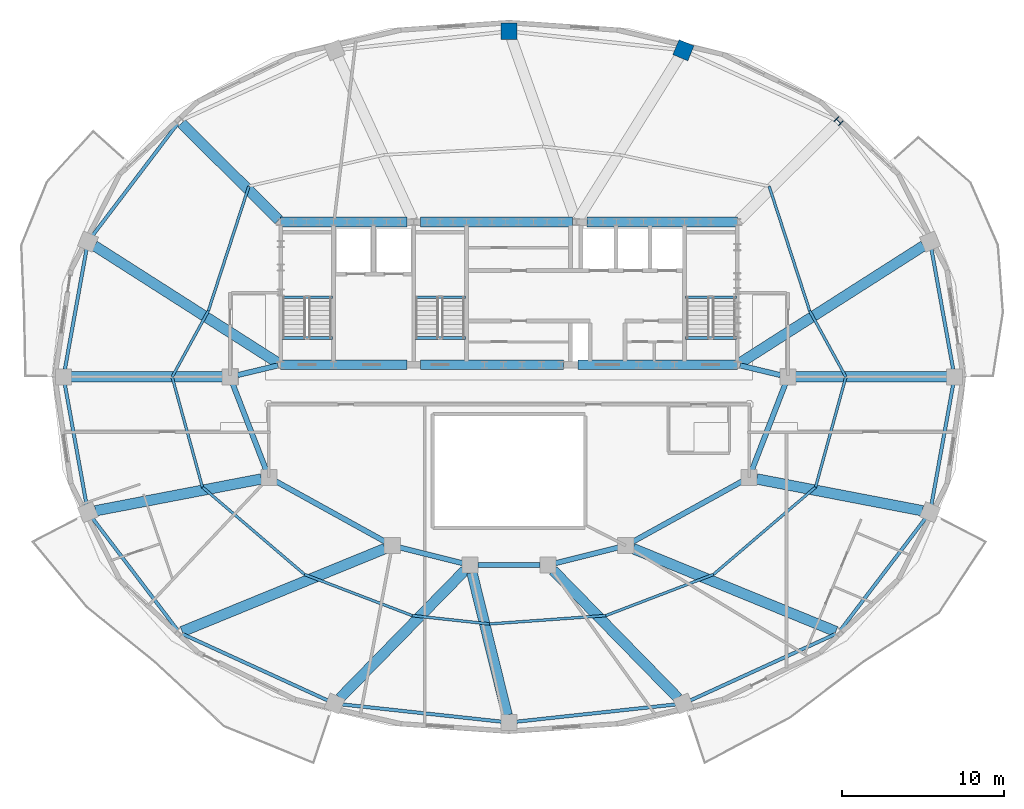
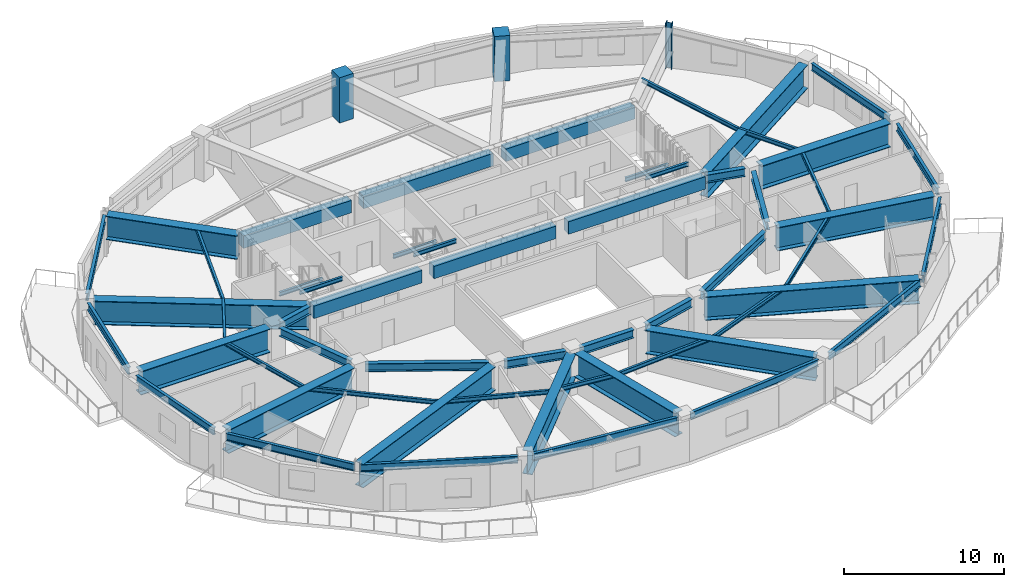
# One storey, part 2 of 12: 56 beams, 3 columns.
"""IFC4 building model written with IfcOpenShell, lengths in metres."""

from ifc_helpers import new_model, si_unit, direction, frame, origin, origin_2d, place, context, subcontext, project, spatial, rectangle, i_section, extrude, material, material_profile, profile_set, type_object, element, save


model = new_model("IFC4")

# Units and contexts
model_context = context("Model", 3, precision=1e-05, world=origin(), true_north=direction((0.0, 1.0)))
body_context = subcontext(model_context, "Body", "Model", "MODEL_VIEW")
ifc_project = project(units=[si_unit("LENGTHUNIT", "METRE"), si_unit("AREAUNIT", "SQUARE_METRE"), si_unit("VOLUMEUNIT", "CUBIC_METRE"), si_unit("PLANEANGLEUNIT", "RADIAN"), si_unit("MASSUNIT", "GRAM", prefix="KILO")], contexts=[model_context])

# Site, building, storey
site_placement = place(None, origin())
site = spatial("IfcSite", under=ifc_project, at=site_placement, CompositionType="ELEMENT")
building_placement = place(site_placement, origin())
building = spatial("IfcBuilding", under=site, at=building_placement, Name="Haldorwick Loom Tower", CompositionType="ELEMENT")
storey_placement = place(building_placement, frame((0.0, 0.0, 237.449951171875)))
storey = spatial("IfcBuildingStorey", under=building, at=storey_placement, Name="L64", CompositionType="ELEMENT", Elevation=237.449951171875)

# Columns
ifc_material_1 = material(Name="Concrete C60 (60 MPa)", Category="concrete")
ifc_material_profile_1 = material_profile(ifc_material_1, rectangle(XDim=1.0, YDim=1.0, at=origin_2d()), Name="RC1000X1000", Category="concrete")
ifc_profile_set_1 = profile_set([ifc_material_profile_1], Name="Concrete C60 (60 MPa)")
column_type_1 = type_object("IfcColumnType", Name="STR-COL-RC1000", PredefinedType="COLUMN", material=ifc_profile_set_1)
for number, where, z_axis, x_axis, name in (
    (1, (46.75341796875, 46.140625, 0.0), (0.0, 0.0, 1.0), (0.382683432365, 0.923879532511, 0.0), "L64 Perimeter Pier Column P04"),
    (2, (36.0, 47.304931640625, 0.0), (0.0, 0.0, 1.0), (0.0, 1.0, 0.0), "L64 Perimeter Pier Column P05"),
):
    element("IfcColumn", number, at=place(storey_placement, frame(where, z_axis=z_axis, x_axis=x_axis)), inside=storey, type_object=column_type_1, Name=name, PredefinedType="COLUMN", context=body_context, shape_type="SweptSolid", body=[
        extrude(rectangle(XDim=1.0, YDim=1.0, at=origin_2d()), origin(), (0.0, 0.0, 1.0), 3.449951171875),
    ])
ifc_material_2 = material(Name="Steel CSA G40.21 350W", Category="steel")
ifc_material_profile_2 = material_profile(ifc_material_2, i_section(OverallWidth=0.406005859375, OverallDepth=0.416015625, WebThickness=0.024169921875, FlangeThickness=0.03857421875, at=origin_2d()), Name="W360X382", Category="steel")
ifc_profile_set_2 = profile_set([ifc_material_profile_2], Name="Steel CSA G40.21 350W")
column_type_2 = type_object("IfcColumnType", Name="STR-COL-W360X382", PredefinedType="COLUMN", material=ifc_profile_set_2)
column_placement = place(storey_placement, frame((56.317626953125, 41.764892578125, 0.0), z_axis=(0.0, 0.0, 1.0), x_axis=(0.707106781187, 0.707106781187, 0.0)))
element("IfcColumn", 3, at=column_placement, inside=storey, type_object=column_type_2, Name="L64 Perimeter Pier Column P03", PredefinedType="COLUMN", context=body_context, shape_type="SweptSolid", body=[
    extrude(i_section(OverallWidth=0.406005859375, OverallDepth=0.416015625, WebThickness=0.024169921875, FlangeThickness=0.03857421875, at=origin_2d()), origin(), (0.0, 0.0, 1.0), 3.449951171875),
])

# Beams
ifc_material_3 = material(Name="Concrete C50 (50 MPa)", Category="concrete")
ifc_material_profile_3 = material_profile(ifc_material_3, rectangle(XDim=0.60009765625, YDim=0.949951171875, at=origin_2d()), Name="RC600X950", Category="concrete")
ifc_profile_set_3 = profile_set([ifc_material_profile_3], Name="Concrete C50 (50 MPa)")
beam_type_1 = type_object("IfcBeamType", Name="STR-BM-CB950", PredefinedType="LINTEL", material=ifc_profile_set_3)
beam_1_placement = place(storey_placement, frame((21.89990234375, 35.550048828125, 2.695068359375), z_axis=(1.0, 0.0, 0.0), x_axis=(0.0, 1.0, 0.0)))
element("IfcBeam", 4, at=beam_1_placement, inside=storey, type_object=beam_type_1, Name="L64 Core Coupling Beam CB-N1", PredefinedType="LINTEL", context=body_context, shape_type="SweptSolid", body=[
    extrude(rectangle(XDim=0.60009765625, YDim=0.949951171875, at=origin_2d()), origin(), (0.0, 0.0, 1.0), 7.800048828125),
])
beam_2_placement = place(storey_placement, frame((30.550048828125, 35.550048828125, 2.695068359375), z_axis=(1.0, 0.0, 0.0), x_axis=(0.0, 1.0, 0.0)))
element("IfcBeam", 5, at=beam_2_placement, inside=storey, type_object=beam_type_1, Name="L64 Core Coupling Beam CB-N2", PredefinedType="LINTEL", context=body_context, shape_type="SweptSolid", body=[
    extrude(rectangle(XDim=0.60009765625, YDim=0.949951171875, at=origin_2d()), origin(), (0.0, 0.0, 1.0), 9.349853515625),
])
beam_3_placement = place(storey_placement, frame((40.800048828125, 35.550048828125, 2.695068359375), z_axis=(1.0, 0.0, 0.0), x_axis=(0.0, 1.0, 0.0)))
element("IfcBeam", 6, at=beam_3_placement, inside=storey, type_object=beam_type_1, Name="L64 Core Coupling Beam CB-N3", PredefinedType="LINTEL", context=body_context, shape_type="SweptSolid", body=[
    extrude(rectangle(XDim=0.60009765625, YDim=0.949951171875, at=origin_2d()), origin(), (0.0, 0.0, 1.0), 9.300048828125),
])
beam_4_placement = place(storey_placement, frame((21.89990234375, 26.75, 2.695068359375), z_axis=(1.0, 0.0, 0.0), x_axis=(0.0, 1.0, 0.0)))
element("IfcBeam", 7, at=beam_4_placement, inside=storey, type_object=beam_type_1, Name="L64 Core Coupling Beam CB-S1", PredefinedType="LINTEL", context=body_context, shape_type="SweptSolid", body=[
    extrude(rectangle(XDim=0.60009765625, YDim=0.949951171875, at=origin_2d()), origin(), (0.0, 0.0, 1.0), 7.800048828125),
])
beam_5_placement = place(storey_placement, frame((30.550048828125, 26.75, 2.695068359375), z_axis=(1.0, 0.0, 0.0), x_axis=(0.0, 1.0, 0.0)))
element("IfcBeam", 8, at=beam_5_placement, inside=storey, type_object=beam_type_1, Name="L64 Core Coupling Beam CB-S2", PredefinedType="LINTEL", context=body_context, shape_type="SweptSolid", body=[
    extrude(rectangle(XDim=0.60009765625, YDim=0.949951171875, at=origin_2d()), origin(), (0.0, 0.0, 1.0), 8.800048828125),
])
beam_6_placement = place(storey_placement, frame((40.25, 26.75, 2.695068359375), z_axis=(1.0, 0.0, 0.0), x_axis=(0.0, 1.0, 0.0)))
element("IfcBeam", 9, at=beam_6_placement, inside=storey, type_object=beam_type_1, Name="L64 Core Coupling Beam CB-S3", PredefinedType="LINTEL", context=body_context, shape_type="SweptSolid", body=[
    extrude(rectangle(XDim=0.60009765625, YDim=0.949951171875, at=origin_2d()), origin(), (0.0, 0.0, 1.0), 9.85009765625),
])
ifc_material_profile_4 = material_profile(ifc_material_2, i_section(OverallWidth=0.166015625, OverallDepth=0.31298828125, WebThickness=0.006591796875, FlangeThickness=0.01123046875, at=origin_2d()), Name="W310X45", Category="steel")
ifc_profile_set_4 = profile_set([ifc_material_profile_4], Name="Steel CSA G40.21 350W")
beam_type_2 = type_object("IfcBeamType", Name="STR-BM-J310", PredefinedType="JOIST", material=ifc_profile_set_4)
beam_7_placement = place(storey_placement, frame((56.768310546875, 26.0, 3.013427734375), z_axis=(-0.480863931781, 0.876795232145, 0.0), x_axis=(-0.876795232145, -0.480863931781, 0.0)))
element("IfcBeam", 10, at=beam_7_placement, inside=storey, type_object=beam_type_2, Name="L64 Mid-Bay Secondary Joist 1", PredefinedType="JOIST", context=body_context, shape_type="SweptSolid", body=[
    extrude(i_section(OverallWidth=0.166015625, OverallDepth=0.31298828125, WebThickness=0.006591796875, FlangeThickness=0.01123046875, at=origin_2d()), origin(), (0.0, 0.0, 1.0), 4.639404296875),
])
for number, where, z_axis, x_axis, name in (
    (11, (54.537353515625, 30.06787109375, 3.013427734375), (-0.309277990337, 0.95097167397, 0.0), (-0.95097167397, -0.309277990337, 0.0), "L64 Mid-Bay Secondary Joist 2"),
    (12, (19.96240234375, 37.754150390625, 3.013427734375), (-0.309277990337, -0.95097167397, 0.0), (0.95097167397, -0.309277990337, 0.0), "L64 Mid-Bay Secondary Joist 7"),
):
    element("IfcBeam", number, at=place(storey_placement, frame(where, z_axis=z_axis, x_axis=x_axis)), inside=storey, type_object=beam_type_2, Name=name, PredefinedType="JOIST", context=body_context, shape_type="SweptSolid", body=[
        extrude(i_section(OverallWidth=0.166015625, OverallDepth=0.31298828125, WebThickness=0.006591796875, FlangeThickness=0.01123046875, at=origin_2d()), origin(), (0.0, 0.0, 1.0), 8.08251953125),
    ])
beam_8_placement = place(storey_placement, frame((17.462646484375, 30.06787109375, 3.013427734375), z_axis=(-0.480863931781, -0.876795232145, 0.0), x_axis=(0.876795232145, -0.480863931781, 0.0)))
element("IfcBeam", 13, at=beam_8_placement, inside=storey, type_object=beam_type_2, Name="L64 Mid-Bay Secondary Joist 8", PredefinedType="JOIST", context=body_context, shape_type="SweptSolid", body=[
    extrude(i_section(OverallWidth=0.166015625, OverallDepth=0.31298828125, WebThickness=0.006591796875, FlangeThickness=0.01123046875, at=origin_2d()), origin(), (0.0, 0.0, 1.0), 4.639404296875),
])
beam_9_placement = place(storey_placement, frame((15.231689453125, 26.0, 3.013427734375), z_axis=(0.264879381431, -0.964281552915, 0.0), x_axis=(0.964281552915, 0.264879381431, 0.0)))
element("IfcBeam", 14, at=beam_9_placement, inside=storey, type_object=beam_type_2, Name="L64 Mid-Bay Secondary Joist 9", PredefinedType="JOIST", context=body_context, shape_type="SweptSolid", body=[
    extrude(i_section(OverallWidth=0.166015625, OverallDepth=0.31298828125, WebThickness=0.006591796875, FlangeThickness=0.01123046875, at=origin_2d()), origin(), (0.0, 0.0, 1.0), 7.044677734375),
])
beam_10_placement = place(storey_placement, frame((17.09765625, 19.20703125, 3.013427734375), z_axis=(0.760066902561, -0.649844830426, 0.0), x_axis=(0.649844830426, 0.760066902561, 0.0)))
element("IfcBeam", 15, at=beam_10_placement, inside=storey, type_object=beam_type_2, Name="L64 Mid-Bay Secondary Joist 10", PredefinedType="JOIST", context=body_context, shape_type="SweptSolid", body=[
    extrude(i_section(OverallWidth=0.166015625, OverallDepth=0.31298828125, WebThickness=0.006591796875, FlangeThickness=0.01123046875, at=origin_2d()), origin(), (0.0, 0.0, 1.0), 8.28857421875),
])
beam_11_placement = place(storey_placement, frame((23.3974609375, 13.82080078125, 3.013427734375), z_axis=(0.934134056558, -0.356922350628, 0.0), x_axis=(0.356922350628, 0.934134056558, 0.0)))
element("IfcBeam", 16, at=beam_11_placement, inside=storey, type_object=beam_type_2, Name="L64 Mid-Bay Secondary Joist 11", PredefinedType="JOIST", context=body_context, shape_type="SweptSolid", body=[
    extrude(i_section(OverallWidth=0.166015625, OverallDepth=0.31298828125, WebThickness=0.006591796875, FlangeThickness=0.01123046875, at=origin_2d()), origin(), (0.0, 0.0, 1.0), 7.106201171875),
])
beam_12_placement = place(storey_placement, frame((30.03564453125, 11.284423828125, 3.013427734375), z_axis=(0.994221899005, -0.107344378232, 0.0), x_axis=(0.107344378232, 0.994221899005, 0.0)))
element("IfcBeam", 17, at=beam_12_placement, inside=storey, type_object=beam_type_2, Name="L64 Mid-Bay Secondary Joist 12", PredefinedType="JOIST", context=body_context, shape_type="SweptSolid", body=[
    extrude(i_section(OverallWidth=0.166015625, OverallDepth=0.31298828125, WebThickness=0.006591796875, FlangeThickness=0.01123046875, at=origin_2d()), origin(), (0.0, 0.0, 1.0), 4.7919921875),
])
beam_13_placement = place(storey_placement, frame((34.800048828125, 10.77001953125, 3.013427734375), z_axis=(0.997432233153, 0.071616620046, 0.0), x_axis=(-0.071616620046, 0.997432233153, 0.0)))
element("IfcBeam", 18, at=beam_13_placement, inside=storey, type_object=beam_type_2, Name="L64 Mid-Bay Secondary Joist 13", PredefinedType="JOIST", context=body_context, shape_type="SweptSolid", body=[
    extrude(i_section(OverallWidth=0.166015625, OverallDepth=0.31298828125, WebThickness=0.006591796875, FlangeThickness=0.01123046875, at=origin_2d()), origin(), (0.0, 0.0, 1.0), 7.182861328125),
])
beam_14_placement = place(storey_placement, frame((41.96435546875, 11.284423828125, 3.013427734375), z_axis=(0.934134056558, 0.356922350628, 0.0), x_axis=(-0.356922350628, 0.934134056558, 0.0)))
element("IfcBeam", 19, at=beam_14_placement, inside=storey, type_object=beam_type_2, Name="L64 Mid-Bay Secondary Joist 14", PredefinedType="JOIST", context=body_context, shape_type="SweptSolid", body=[
    extrude(i_section(OverallWidth=0.166015625, OverallDepth=0.31298828125, WebThickness=0.006591796875, FlangeThickness=0.01123046875, at=origin_2d()), origin(), (0.0, 0.0, 1.0), 7.106201171875),
])
beam_15_placement = place(storey_placement, frame((48.6025390625, 13.82080078125, 3.013427734375), z_axis=(0.760066902561, 0.649844830426, 0.0), x_axis=(-0.649844830426, 0.760066902561, 0.0)))
element("IfcBeam", 20, at=beam_15_placement, inside=storey, type_object=beam_type_2, Name="L64 Mid-Bay Secondary Joist 15", PredefinedType="JOIST", context=body_context, shape_type="SweptSolid", body=[
    extrude(i_section(OverallWidth=0.166015625, OverallDepth=0.31298828125, WebThickness=0.006591796875, FlangeThickness=0.01123046875, at=origin_2d()), origin(), (0.0, 0.0, 1.0), 8.28857421875),
])
beam_16_placement = place(storey_placement, frame((54.90234375, 19.20703125, 3.013427734375), z_axis=(0.264879381431, 0.964281552915, 0.0), x_axis=(-0.964281552915, 0.264879381431, 0.0)))
element("IfcBeam", 21, at=beam_16_placement, inside=storey, type_object=beam_type_2, Name="L64 Mid-Bay Secondary Joist 16", PredefinedType="JOIST", context=body_context, shape_type="SweptSolid", body=[
    extrude(i_section(OverallWidth=0.166015625, OverallDepth=0.31298828125, WebThickness=0.006591796875, FlangeThickness=0.01123046875, at=origin_2d()), origin(), (0.0, 0.0, 1.0), 7.044677734375),
])
ifc_material_profile_5 = material_profile(ifc_material_2, i_section(OverallWidth=0.2119140625, OverallDepth=0.5439453125, WebThickness=0.01318359375, FlangeThickness=0.021240234375, at=origin_2d()), Name="W530X123", Category="steel")
ifc_profile_set_5 = profile_set([ifc_material_profile_5], Name="Steel CSA G40.21 350W")
beam_type_3 = type_object("IfcBeamType", Name="STR-BM-SP530", PredefinedType="SPANDREL", material=ifc_profile_set_5)
beam_17_placement = place(storey_placement, frame((63.382080078125, 26.467529296875, 2.89794921875), z_axis=(-0.177580880494, 0.984106209148, 0.0), x_axis=(-0.984106209148, -0.177580880494, 0.0)))
element("IfcBeam", 22, at=beam_17_placement, inside=storey, type_object=beam_type_3, Name="L64 Perimeter Spandrel 1", PredefinedType="SPANDREL", context=body_context, shape_type="SweptSolid", body=[
    extrude(i_section(OverallWidth=0.2119140625, OverallDepth=0.5439453125, WebThickness=0.01318359375, FlangeThickness=0.021240234375, at=origin_2d()), origin(), (0.0, 0.0, 1.0), 7.527099609375),
])
beam_18_placement = place(storey_placement, frame((15.57470703125, 41.623291015625, 2.89794921875), z_axis=(-0.605253156055, -0.796033050247, 0.0), x_axis=(0.796033050247, -0.605253156055, 0.0)))
element("IfcBeam", 23, at=beam_18_placement, inside=storey, type_object=beam_type_3, Name="L64 Perimeter Spandrel 7", PredefinedType="SPANDREL", context=body_context, shape_type="SweptSolid", body=[
    extrude(i_section(OverallWidth=0.2119140625, OverallDepth=0.5439453125, WebThickness=0.01318359375, FlangeThickness=0.021240234375, at=origin_2d()), origin(), (0.0, 0.0, 1.0), 8.671142578125),
])
for number, where, z_axis, x_axis, name in (
    (24, (9.95458984375, 33.875, 2.89794921875), (-0.177580880494, -0.984106209148, 0.0), (0.984106209148, -0.177580880494, 0.0), "L64 Perimeter Spandrel 8"),
    (25, (8.617919921875, 25.532470703125, 2.89794921875), (0.177580880494, -0.984106209148, 0.0), (0.984106209148, 0.177580880494, 0.0), "L64 Perimeter Spandrel 9"),
):
    element("IfcBeam", number, at=place(storey_placement, frame(where, z_axis=z_axis, x_axis=x_axis)), inside=storey, type_object=beam_type_3, Name=name, PredefinedType="SPANDREL", context=body_context, shape_type="SweptSolid", body=[
        extrude(i_section(OverallWidth=0.2119140625, OverallDepth=0.5439453125, WebThickness=0.01318359375, FlangeThickness=0.021240234375, at=origin_2d()), origin(), (0.0, 0.0, 1.0), 7.527099609375),
    ])
beam_19_placement = place(storey_placement, frame((10.326416015625, 17.279296875, 2.89794921875), z_axis=(0.605253156055, -0.796033050247, 0.0), x_axis=(0.796033050247, 0.605253156055, 0.0)))
element("IfcBeam", 26, at=beam_19_placement, inside=storey, type_object=beam_type_3, Name="L64 Perimeter Spandrel 10", PredefinedType="SPANDREL", context=body_context, shape_type="SweptSolid", body=[
    extrude(i_section(OverallWidth=0.2119140625, OverallDepth=0.5439453125, WebThickness=0.01318359375, FlangeThickness=0.021240234375, at=origin_2d()), origin(), (0.0, 0.0, 1.0), 8.671142578125),
])
beam_20_placement = place(storey_placement, frame((15.84423828125, 10.160888671875, 2.89794921875), z_axis=(0.909350907904, -0.41602995841, 0.0), x_axis=(0.41602995841, 0.909350907904, 0.0)))
element("IfcBeam", 27, at=beam_20_placement, inside=storey, type_object=beam_type_3, Name="L64 Perimeter Spandrel 11", PredefinedType="SPANDREL", context=body_context, shape_type="SweptSolid", body=[
    extrude(i_section(OverallWidth=0.2119140625, OverallDepth=0.5439453125, WebThickness=0.01318359375, FlangeThickness=0.021240234375, at=origin_2d()), origin(), (0.0, 0.0, 1.0), 9.86474609375),
])
for number, where, z_axis, x_axis, name in (
    (28, (25.71875, 5.808349609375, 2.89794921875), (0.994187378218, -0.107663628917, 0.0), (0.107663628917, 0.994187378218, 0.0), "L64 Perimeter Spandrel 12"),
    (29, (36.47216796875, 4.74609375, 2.89794921875), (0.994187378218, 0.107663628917, 0.0), (-0.107663628917, 0.994187378218, 0.0), "L64 Perimeter Spandrel 13"),
):
    element("IfcBeam", number, at=place(storey_placement, frame(where, z_axis=z_axis, x_axis=x_axis)), inside=storey, type_object=beam_type_3, Name=name, PredefinedType="SPANDREL", context=body_context, shape_type="SweptSolid", body=[
        extrude(i_section(OverallWidth=0.2119140625, OverallDepth=0.5439453125, WebThickness=0.01318359375, FlangeThickness=0.021240234375, at=origin_2d()), origin(), (0.0, 0.0, 1.0), 9.866455078125),
    ])
beam_21_placement = place(storey_placement, frame((47.185302734375, 6.056884765625, 2.89794921875), z_axis=(0.909350907904, 0.41602995841, 0.0), x_axis=(-0.41602995841, 0.909350907904, 0.0)))
element("IfcBeam", 30, at=beam_21_placement, inside=storey, type_object=beam_type_3, Name="L64 Perimeter Spandrel 14", PredefinedType="SPANDREL", context=body_context, shape_type="SweptSolid", body=[
    extrude(i_section(OverallWidth=0.2119140625, OverallDepth=0.5439453125, WebThickness=0.01318359375, FlangeThickness=0.021240234375, at=origin_2d()), origin(), (0.0, 0.0, 1.0), 9.86474609375),
])
beam_22_placement = place(storey_placement, frame((56.42529296875, 10.376708984375, 2.89794921875), z_axis=(0.605253156055, 0.796033050247, 0.0), x_axis=(-0.796033050247, 0.605253156055, 0.0)))
element("IfcBeam", 31, at=beam_22_placement, inside=storey, type_object=beam_type_3, Name="L64 Perimeter Spandrel 15", PredefinedType="SPANDREL", context=body_context, shape_type="SweptSolid", body=[
    extrude(i_section(OverallWidth=0.2119140625, OverallDepth=0.5439453125, WebThickness=0.01318359375, FlangeThickness=0.021240234375, at=origin_2d()), origin(), (0.0, 0.0, 1.0), 8.671142578125),
])
beam_23_placement = place(storey_placement, frame((62.04541015625, 18.125, 2.89794921875), z_axis=(0.177580880494, 0.984106209148, 0.0), x_axis=(-0.984106209148, 0.177580880494, 0.0)))
element("IfcBeam", 32, at=beam_23_placement, inside=storey, type_object=beam_type_3, Name="L64 Perimeter Spandrel 16", PredefinedType="SPANDREL", context=body_context, shape_type="SweptSolid", body=[
    extrude(i_section(OverallWidth=0.2119140625, OverallDepth=0.5439453125, WebThickness=0.01318359375, FlangeThickness=0.021240234375, at=origin_2d()), origin(), (0.0, 0.0, 1.0), 7.527099609375),
])
ifc_material_profile_6 = material_profile(ifc_material_2, i_section(OverallWidth=0.166015625, OverallDepth=0.31298828125, WebThickness=0.006591796875, FlangeThickness=0.01123046875, at=origin_2d()), Name="W310X45", Category="steel")
ifc_profile_set_6 = profile_set([ifc_material_profile_6], Name="Steel CSA G40.21 350W")
beam_type_4 = type_object("IfcBeamType", Name="STR-BM-STRM", PredefinedType="BEAM", material=ifc_profile_set_6)
for number, where, z_axis, x_axis, name in (
    (33, (21.989990234375, 28.39990234375, 3.013427734375), (1.0, 0.0, 0.0), (0.0, 1.0, 0.0), "L64 Stair ST-01 Landing Edge Trimmer"),
    (34, (21.989990234375, 30.919921875, 1.36865234375), (1.0, 0.0, 0.0), (0.0, 1.0, 0.0), "L64 Stair ST-01 Half-Landing Trimmer 1"),
    (35, (46.889892578125, 28.39990234375, 3.013427734375), (1.0, 0.0, 0.0), (0.0, 1.0, 0.0), "L64 Stair ST-02 Landing Edge Trimmer"),
    (36, (46.889892578125, 30.919921875, 1.36865234375), (1.0, 0.0, 0.0), (0.0, 1.0, 0.0), "L64 Stair ST-02 Half-Landing Trimmer 1"),
    (37, (30.18994140625, 28.39990234375, 3.013427734375), (1.0, 0.0, 0.0), (0.0, 1.0, 0.0), "L64 Stair ST-03 Landing Edge Trimmer"),
    (38, (30.18994140625, 30.919921875, 1.36865234375), (1.0, 0.0, 0.0), (0.0, 1.0, 0.0), "L64 Stair ST-03 Half-Landing Trimmer 1"),
):
    element("IfcBeam", number, at=place(storey_placement, frame(where, z_axis=z_axis, x_axis=x_axis)), inside=storey, type_object=beam_type_4, Name=name, PredefinedType="BEAM", context=body_context, shape_type="SweptSolid", body=[
        extrude(i_section(OverallWidth=0.166015625, OverallDepth=0.31298828125, WebThickness=0.006591796875, FlangeThickness=0.01123046875, at=origin_2d()), origin(), (0.0, 0.0, 1.0), 3.1201171875),
    ])
ifc_material_4 = material(Name="Steel CSA G40.21 350WT", Category="steel")
ifc_material_profile_7 = material_profile(ifc_material_4, i_section(OverallWidth=0.64990234375, OverallDepth=1.800048828125, WebThickness=0.02587890625, FlangeThickness=0.048095703125, at=origin_2d()), Name="WWF1800X650", Category="steel")
ifc_profile_set_7 = profile_set([ifc_material_profile_7], Name="Steel CSA G40.21 350WT")
beam_type_5 = type_object("IfcBeamType", Name="STR-BM-TG1800", PredefinedType="BEAM", material=ifc_profile_set_7)
beam_24_placement = place(storey_placement, frame((53.675048828125, 26.0, 2.27001953125), z_axis=(1.0, 0.0, 0.0), x_axis=(0.0, 1.0, 0.0)))
element("IfcBeam", 39, at=beam_24_placement, inside=storey, type_object=beam_type_5, Name="L64 Setback Inner Transfer Girder 1", PredefinedType="BEAM", context=body_context, shape_type="SweptSolid", body=[
    extrude(i_section(OverallWidth=0.64990234375, OverallDepth=1.800048828125, WebThickness=0.02587890625, FlangeThickness=0.048095703125, at=origin_2d()), origin(), (0.0, 0.0, 1.0), 9.31640625),
])
beam_25_placement = place(storey_placement, frame((50.219970703125, 26.845703125, 2.27001953125), z_axis=(0.842841662301, 0.538161622833, 0.0), x_axis=(-0.538161622833, 0.842841662301, 0.0)))
element("IfcBeam", 40, at=beam_25_placement, inside=storey, type_object=beam_type_5, Name="L64 Setback Inner Transfer Girder 2", PredefinedType="BEAM", context=body_context, shape_type="SweptSolid", body=[
    extrude(i_section(OverallWidth=0.64990234375, OverallDepth=1.800048828125, WebThickness=0.02587890625, FlangeThickness=0.048095703125, at=origin_2d()), origin(), (0.0, 0.0, 1.0), 13.45556640625),
])
beam_26_placement = place(storey_placement, frame((21.8037109375, 35.675537109375, 2.27001953125), z_axis=(-0.708952100153, 0.70525663392, 0.0), x_axis=(-0.70525663392, -0.708952100153, 0.0)))
element("IfcBeam", 41, at=beam_26_placement, inside=storey, type_object=beam_type_5, Name="L64 Setback Inner Transfer Girder 7", PredefinedType="BEAM", context=body_context, shape_type="SweptSolid", body=[
    extrude(i_section(OverallWidth=0.64990234375, OverallDepth=1.800048828125, WebThickness=0.02587890625, FlangeThickness=0.048095703125, at=origin_2d()), origin(), (0.0, 0.0, 1.0), 8.456298828125),
])
beam_27_placement = place(storey_placement, frame((21.780029296875, 26.845703125, 2.27001953125), z_axis=(-0.842841662301, 0.538161622833, 0.0), x_axis=(-0.538161622833, -0.842841662301, 0.0)))
element("IfcBeam", 42, at=beam_27_placement, inside=storey, type_object=beam_type_5, Name="L64 Setback Inner Transfer Girder 8", PredefinedType="BEAM", context=body_context, shape_type="SweptSolid", body=[
    extrude(i_section(OverallWidth=0.64990234375, OverallDepth=1.800048828125, WebThickness=0.02587890625, FlangeThickness=0.048095703125, at=origin_2d()), origin(), (0.0, 0.0, 1.0), 13.45556640625),
])
beam_28_placement = place(storey_placement, frame((18.324951171875, 26.0, 2.27001953125), z_axis=(-1.0, 0.0, 0.0), x_axis=(0.0, -1.0, 0.0)))
element("IfcBeam", 43, at=beam_28_placement, inside=storey, type_object=beam_type_5, Name="L64 Setback Inner Transfer Girder 9", PredefinedType="BEAM", context=body_context, shape_type="SweptSolid", body=[
    extrude(i_section(OverallWidth=0.64990234375, OverallDepth=1.800048828125, WebThickness=0.02587890625, FlangeThickness=0.048095703125, at=origin_2d()), origin(), (0.0, 0.0, 1.0), 9.31640625),
])
beam_29_placement = place(storey_placement, frame((20.7333984375, 19.71044921875, 2.27001953125), z_axis=(-0.982068761346, -0.188523070173, 0.0), x_axis=(0.188523070173, -0.982068761346, 0.0)))
element("IfcBeam", 44, at=beam_29_placement, inside=storey, type_object=beam_type_5, Name="L64 Setback Inner Transfer Girder 10", PredefinedType="BEAM", context=body_context, shape_type="SweptSolid", body=[
    extrude(i_section(OverallWidth=0.64990234375, OverallDepth=1.800048828125, WebThickness=0.02587890625, FlangeThickness=0.048095703125, at=origin_2d()), origin(), (0.0, 0.0, 1.0), 10.41455078125),
])
beam_30_placement = place(storey_placement, frame((28.3603515625, 15.420166015625, 2.27001953125), z_axis=(-0.925582046891, -0.378547057145, 0.0), x_axis=(0.378547057145, -0.925582046891, 0.0)))
element("IfcBeam", 45, at=beam_30_placement, inside=storey, type_object=beam_type_5, Name="L64 Setback Inner Transfer Girder 11", PredefinedType="BEAM", context=body_context, shape_type="SweptSolid", body=[
    extrude(i_section(OverallWidth=0.64990234375, OverallDepth=1.800048828125, WebThickness=0.02587890625, FlangeThickness=0.048095703125, at=origin_2d()), origin(), (0.0, 0.0, 1.0), 13.519287109375),
])
beam_31_placement = place(storey_placement, frame((33.267822265625, 14.060302734375, 2.27001953125), z_axis=(-0.6992374297, -0.714889513775, 0.0), x_axis=(0.714889513775, -0.6992374297, 0.0)))
element("IfcBeam", 46, at=beam_31_placement, inside=storey, type_object=beam_type_5, Name="L64 Setback Inner Transfer Girder 12", PredefinedType="BEAM", context=body_context, shape_type="SweptSolid", body=[
    extrude(i_section(OverallWidth=0.64990234375, OverallDepth=1.800048828125, WebThickness=0.02587890625, FlangeThickness=0.048095703125, at=origin_2d()), origin(), (0.0, 0.0, 1.0), 10.99658203125),
])
beam_32_placement = place(storey_placement, frame((33.714111328125, 13.93896484375, 2.27001953125), z_axis=(0.240052275929, -0.970759962515, 0.0), x_axis=(0.970759962515, 0.240052275929, 0.0)))
element("IfcBeam", 47, at=beam_32_placement, inside=storey, type_object=beam_type_5, Name="L64 Setback Inner Transfer Girder 13", PredefinedType="BEAM", context=body_context, shape_type="SweptSolid", body=[
    extrude(i_section(OverallWidth=0.64990234375, OverallDepth=1.800048828125, WebThickness=0.02587890625, FlangeThickness=0.048095703125, at=origin_2d()), origin(), (0.0, 0.0, 1.0), 9.047607421875),
])
beam_33_placement = place(storey_placement, frame((38.732177734375, 14.060302734375, 2.27001953125), z_axis=(0.6992374297, -0.714889513775, 0.0), x_axis=(0.714889513775, 0.6992374297, 0.0)))
element("IfcBeam", 48, at=beam_33_placement, inside=storey, type_object=beam_type_5, Name="L64 Setback Inner Transfer Girder 14", PredefinedType="BEAM", context=body_context, shape_type="SweptSolid", body=[
    extrude(i_section(OverallWidth=0.64990234375, OverallDepth=1.800048828125, WebThickness=0.02587890625, FlangeThickness=0.048095703125, at=origin_2d()), origin(), (0.0, 0.0, 1.0), 10.99658203125),
])
beam_34_placement = place(storey_placement, frame((43.6396484375, 15.420166015625, 2.27001953125), z_axis=(0.925582046891, -0.378547057145, 0.0), x_axis=(0.378547057145, 0.925582046891, 0.0)))
element("IfcBeam", 49, at=beam_34_placement, inside=storey, type_object=beam_type_5, Name="L64 Setback Inner Transfer Girder 15", PredefinedType="BEAM", context=body_context, shape_type="SweptSolid", body=[
    extrude(i_section(OverallWidth=0.64990234375, OverallDepth=1.800048828125, WebThickness=0.02587890625, FlangeThickness=0.048095703125, at=origin_2d()), origin(), (0.0, 0.0, 1.0), 13.519287109375),
])
beam_35_placement = place(storey_placement, frame((51.2666015625, 19.71044921875, 2.27001953125), z_axis=(0.982068761346, -0.188523070173, 0.0), x_axis=(0.188523070173, 0.982068761346, 0.0)))
element("IfcBeam", 50, at=beam_35_placement, inside=storey, type_object=beam_type_5, Name="L64 Setback Inner Transfer Girder 16", PredefinedType="BEAM", context=body_context, shape_type="SweptSolid", body=[
    extrude(i_section(OverallWidth=0.64990234375, OverallDepth=1.800048828125, WebThickness=0.02587890625, FlangeThickness=0.048095703125, at=origin_2d()), origin(), (0.0, 0.0, 1.0), 10.41455078125),
])
ifc_material_profile_8 = material_profile(ifc_material_2, i_section(OverallWidth=0.324951171875, OverallDepth=0.615966796875, WebThickness=0.013916015625, FlangeThickness=0.021484375, at=origin_2d()), Name="W610X174", Category="steel")
ifc_profile_set_8 = profile_set([ifc_material_profile_8], Name="Steel CSA G40.21 350W")
beam_type_6 = type_object("IfcBeamType", Name="STR-BM-W610A", PredefinedType="BEAM", material=ifc_profile_set_8)
beam_36_placement = place(storey_placement, frame((50.2431640625, 26.70849609375, 2.862060546875), z_axis=(0.972464127734, -0.233052612665, 0.0), x_axis=(0.233052612665, 0.972464127734, 0.0)))
element("IfcBeam", 51, at=beam_36_placement, inside=storey, type_object=beam_type_6, Name="L64 Inner Ring Girder 1", PredefinedType="BEAM", context=body_context, shape_type="SweptSolid", body=[
    extrude(i_section(OverallWidth=0.324951171875, OverallDepth=0.615966796875, WebThickness=0.013916015625, FlangeThickness=0.021484375, at=origin_2d()), origin(), (0.0, 0.0, 1.0), 2.5654296875),
])
beam_37_placement = place(storey_placement, frame((53.028564453125, 25.556884765625, 2.862060546875), z_axis=(-0.36101093026, -0.93256158415, 0.0), x_axis=(0.93256158415, -0.36101093026, 0.0)))
element("IfcBeam", 52, at=beam_37_placement, inside=storey, type_object=beam_type_6, Name="L64 Inner Ring Girder 2", PredefinedType="BEAM", context=body_context, shape_type="SweptSolid", body=[
    extrude(i_section(OverallWidth=0.324951171875, OverallDepth=0.615966796875, WebThickness=0.013916015625, FlangeThickness=0.021484375, at=origin_2d()), origin(), (0.0, 0.0, 1.0), 5.6982421875),
])
beam_38_placement = place(storey_placement, frame((50.38427734375, 19.5703125, 2.862060546875), z_axis=(-0.875243645673, -0.483682293152, 0.0), x_axis=(0.483682293152, -0.875243645673, 0.0)))
element("IfcBeam", 53, at=beam_38_placement, inside=storey, type_object=beam_type_6, Name="L64 Inner Ring Girder 3", PredefinedType="BEAM", context=body_context, shape_type="SweptSolid", body=[
    extrude(i_section(OverallWidth=0.324951171875, OverallDepth=0.615966796875, WebThickness=0.013916015625, FlangeThickness=0.021484375, at=origin_2d()), origin(), (0.0, 0.0, 1.0), 7.7333984375),
])
beam_39_placement = place(storey_placement, frame((42.7392578125, 15.48486328125, 2.862060546875), z_axis=(-0.970135315182, -0.242564363081, 0.0), x_axis=(0.242564363081, -0.970135315182, 0.0)))
element("IfcBeam", 54, at=beam_39_placement, inside=storey, type_object=beam_type_6, Name="L64 Inner Ring Girder 4", PredefinedType="BEAM", context=body_context, shape_type="SweptSolid", body=[
    extrude(i_section(OverallWidth=0.324951171875, OverallDepth=0.615966796875, WebThickness=0.013916015625, FlangeThickness=0.021484375, at=origin_2d()), origin(), (0.0, 0.0, 1.0), 3.997802734375),
])
beam_40_placement = place(storey_placement, frame((37.925048828125, 14.39990234375, 2.862060546875), z_axis=(-1.0, 0.0, 0.0), x_axis=(0.0, -1.0, 0.0)))
element("IfcBeam", 55, at=beam_40_placement, inside=storey, type_object=beam_type_6, Name="L64 Inner Ring Girder 5", PredefinedType="BEAM", context=body_context, shape_type="SweptSolid", body=[
    extrude(i_section(OverallWidth=0.324951171875, OverallDepth=0.615966796875, WebThickness=0.013916015625, FlangeThickness=0.021484375, at=origin_2d()), origin(), (0.0, 0.0, 1.0), 3.85009765625),
])
beam_41_placement = place(storey_placement, frame((33.13916015625, 14.51513671875, 2.862060546875), z_axis=(-0.970135315182, 0.242564363081, 0.0), x_axis=(-0.242564363081, -0.970135315182, 0.0)))
element("IfcBeam", 56, at=beam_41_placement, inside=storey, type_object=beam_type_6, Name="L64 Inner Ring Girder 6", PredefinedType="BEAM", context=body_context, shape_type="SweptSolid", body=[
    extrude(i_section(OverallWidth=0.324951171875, OverallDepth=0.615966796875, WebThickness=0.013916015625, FlangeThickness=0.021484375, at=origin_2d()), origin(), (0.0, 0.0, 1.0), 3.997802734375),
])
beam_42_placement = place(storey_placement, frame((28.38427734375, 15.829833984375, 2.862060546875), z_axis=(-0.875243645673, 0.483682293152, 0.0), x_axis=(-0.483682293152, -0.875243645673, 0.0)))
element("IfcBeam", 57, at=beam_42_placement, inside=storey, type_object=beam_type_6, Name="L64 Inner Ring Girder 7", PredefinedType="BEAM", context=body_context, shape_type="SweptSolid", body=[
    extrude(i_section(OverallWidth=0.324951171875, OverallDepth=0.615966796875, WebThickness=0.013916015625, FlangeThickness=0.021484375, at=origin_2d()), origin(), (0.0, 0.0, 1.0), 7.7333984375),
])
beam_43_placement = place(storey_placement, frame((21.028564453125, 20.242919921875, 2.862060546875), z_axis=(-0.36101093026, 0.93256158415, 0.0), x_axis=(-0.93256158415, -0.36101093026, 0.0)))
element("IfcBeam", 58, at=beam_43_placement, inside=storey, type_object=beam_type_6, Name="L64 Inner Ring Girder 8", PredefinedType="BEAM", context=body_context, shape_type="SweptSolid", body=[
    extrude(i_section(OverallWidth=0.324951171875, OverallDepth=0.615966796875, WebThickness=0.013916015625, FlangeThickness=0.021484375, at=origin_2d()), origin(), (0.0, 0.0, 1.0), 5.6982421875),
])
beam_44_placement = place(storey_placement, frame((19.261962890625, 26.110595703125, 2.862060546875), z_axis=(0.972464127734, 0.233052612665, 0.0), x_axis=(-0.233052612665, 0.972464127734, 0.0)))
element("IfcBeam", 59, at=beam_44_placement, inside=storey, type_object=beam_type_6, Name="L64 Inner Ring Girder 9", PredefinedType="BEAM", context=body_context, shape_type="SweptSolid", body=[
    extrude(i_section(OverallWidth=0.324951171875, OverallDepth=0.615966796875, WebThickness=0.013916015625, FlangeThickness=0.021484375, at=origin_2d()), origin(), (0.0, 0.0, 1.0), 2.5654296875),
])

save(model, "model.ifc")
